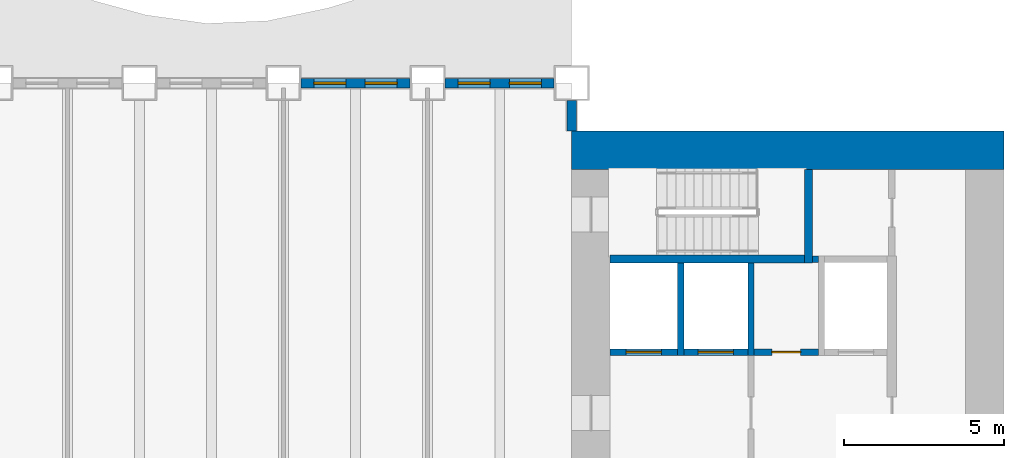
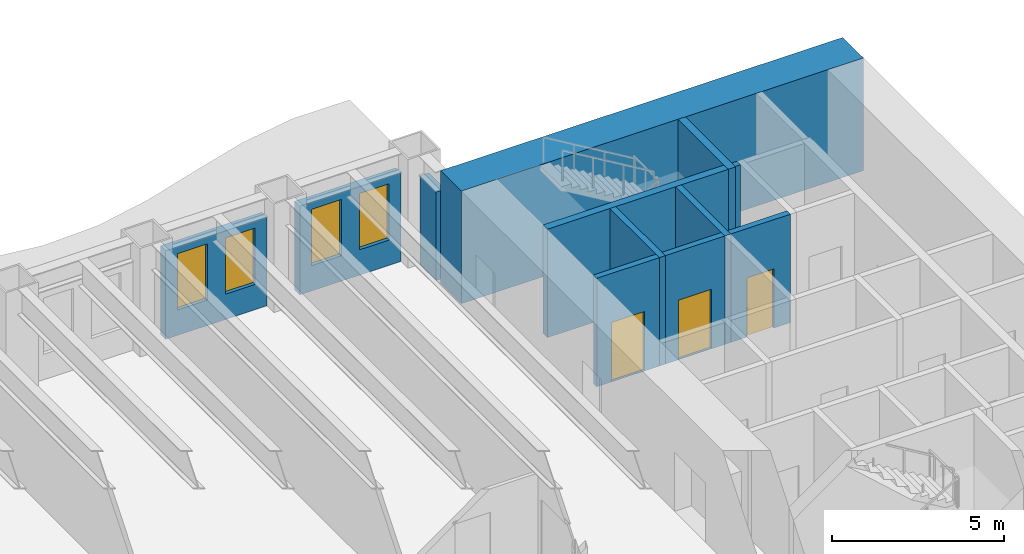
# One storey, part 7 of 17: 12 walls, 4 windows, 3 doors, 7 openings.
"""IFC4 building model written with IfcOpenShell, lengths in metres."""

import ifcopenshell
import ifcopenshell.guid

model = None  # the IFC model being written
_history = None  # IfcOwnerHistory: only IFC2X3 demands one
_inside = {}  # id of a spatial element -> (the spatial element, [elements in it])
_under = {}  # id of a project, library or spatial element -> (it, [spatial elements below it])
_declared = {}  # id of a project -> (the project, [libraries it declares])
_typed = {}  # id of a type object -> (the type object, [elements of that type])
_made_of = {}  # id of a material, layer set ... -> (it, [elements and type objects made of it])


def new_model(schema):
    """Start an empty IFC model of exactly this schema.

    Asked for "IFC4X3", IfcOpenShell would pick the latest addendum, in which some entities
    have other attributes; the version numbers below select the first issue.
    IFC2X3 requires an IfcOwnerHistory on every rooted entity: one is made here for all.
    """
    global model, _history
    if schema == "IFC4X3":
        model = ifcopenshell.file(schema_version=(4, 3, 0, 0))
    else:
        model = ifcopenshell.file(schema=schema)
    _inside.clear()
    _under.clear()
    _declared.clear()
    _typed.clear()
    _made_of.clear()
    _history = None
    if model.schema == "IFC2X3":
        org = make("IfcOrganization", Name="unknown")
        user = make(
            "IfcPersonAndOrganization",
            ThePerson=make("IfcPerson", FamilyName="unknown"),
            TheOrganization=org,
        )
        app = make(
            "IfcApplication",
            ApplicationDeveloper=org,
            Version="unknown",
            ApplicationFullName="unknown",
            ApplicationIdentifier="unknown",
        )
        _history = make(
            "IfcOwnerHistory",
            OwningUser=user,
            OwningApplication=app,
            ChangeAction="ADDED",
            CreationDate=0,
        )
    return model


def make(cls, **values):
    """One entity of the class cls with the attributes given. An attribute that is None is left unset."""
    return model.create_entity(
        cls, **{name: value for name, value in values.items() if value is not None}
    )


def rooted(cls, **values):
    """An entity with a GlobalId (a new one), such as an element, a storey or a relation."""
    return make(cls, GlobalId=ifcopenshell.guid.new(), OwnerHistory=_history, **values)


def si_unit(unit_type, name, prefix=None):
    """IfcSIUnit, for example si_unit("LENGTHUNIT", "METRE", prefix="MILLI")."""
    return make("IfcSIUnit", UnitType=unit_type, Prefix=prefix, Name=name)


def assignment(units):
    """IfcUnitAssignment: the units of a project."""
    return None if units is None else make("IfcUnitAssignment", Units=units)


def point(xyz):
    """IfcCartesianPoint."""
    return None if xyz is None else make("IfcCartesianPoint", Coordinates=xyz)


def direction(xyz):
    """IfcDirection."""
    return None if xyz is None else make("IfcDirection", DirectionRatios=xyz)


def frame(location, z_axis=None, x_axis=None):
    """IfcAxis2Placement3D, a coordinate frame: its origin and axes. An axis left out is left unset."""
    return make(
        "IfcAxis2Placement3D",
        Location=point(location),
        Axis=direction(z_axis),
        RefDirection=direction(x_axis),
    )


def frame_2d(location, x_axis=None):
    """IfcAxis2Placement2D, a coordinate frame in the plane: its origin and x axis."""
    return make(
        "IfcAxis2Placement2D", Location=point(location), RefDirection=direction(x_axis)
    )


def origin():
    """The frame at (0, 0, 0) with its axes left unset."""
    return frame((0.0, 0.0, 0.0))


def place(relative_to, where):
    """IfcLocalPlacement: puts the frame where relative to a parent placement (None: the world)."""
    return make(
        "IfcLocalPlacement", PlacementRelTo=relative_to, RelativePlacement=where
    )


def context(
    kind, dimensions, precision=None, world=None, true_north=None, identifier=None
):
    """IfcGeometricRepresentationContext, for example the 3D "Model" context."""
    return make(
        "IfcGeometricRepresentationContext",
        ContextIdentifier=identifier,
        ContextType=kind,
        CoordinateSpaceDimension=dimensions,
        Precision=precision,
        WorldCoordinateSystem=world,
        TrueNorth=true_north,
    )


def subcontext(parent, identifier, kind, view, scale=None):
    """IfcGeometricRepresentationSubContext, for example "Body" below "Model"."""
    return make(
        "IfcGeometricRepresentationSubContext",
        ContextIdentifier=identifier,
        ContextType=kind,
        ParentContext=parent,
        TargetScale=scale,
        TargetView=view,
    )


def project(units=None, contexts=None):
    """IfcProject with its units and contexts."""
    return rooted(
        "IfcProject",
        Name="project",
        RepresentationContexts=contexts,
        UnitsInContext=assignment(units),
    )


def spatial(cls, under=None, at=None, **own):
    """A site, building, storey or space (cls), placed at a placement, below another one or the project."""
    s = rooted(cls, ObjectPlacement=at, **own)
    if under is not None:
        _under.setdefault(under.id(), (under, []))[1].append(s)
    return s


def profile(cls, at=None, kind="AREA", **sizes):
    """A parametric profile (cls). Its sizes go by their IFC names, for example OverallWidth=200.0."""
    return make(cls, ProfileType=kind, Position=at, **sizes)


def rectangle(**sizes):
    """IfcRectangleProfileDef."""
    return profile("IfcRectangleProfileDef", **sizes)


def extrude(swept, where, along, depth):
    """IfcExtrudedAreaSolid: the profile swept, set in the frame where, extruded along a direction by depth."""
    return make(
        "IfcExtrudedAreaSolid",
        SweptArea=swept,
        Position=where,
        ExtrudedDirection=direction(along),
        Depth=depth,
    )


def shape(context_of_items, identifier, shape_type, items):
    """IfcShapeRepresentation: the items that make up one representation, for example the "Body"."""
    return make(
        "IfcShapeRepresentation",
        ContextOfItems=context_of_items,
        RepresentationIdentifier=identifier,
        RepresentationType=shape_type,
        Items=items,
    )


def material(Name=None, Category=None):
    """IfcMaterial."""
    return make("IfcMaterial", Name=Name, Category=Category)


def layer(
    of_material, thickness, ventilated=None, Name=None, Category=None, Priority=None
):
    """IfcMaterialLayer: one layer of a wall or slab, of a material (None: an air gap)."""
    return make(
        "IfcMaterialLayer",
        Material=of_material,
        LayerThickness=thickness,
        IsVentilated=ventilated,
        Name=Name,
        Category=Category,
        Priority=Priority,
    )


def layer_set(layers, Name=None):
    """IfcMaterialLayerSet."""
    return make("IfcMaterialLayerSet", MaterialLayers=layers, LayerSetName=Name)


def made_of(thing, what):
    """Note that an element or type object is made of a material, layer set ...; save() writes the relation."""
    if what is not None:
        _made_of.setdefault(what.id(), (what, []))[1].append(thing)
    return thing


def type_object(cls, material=None, **own):
    """A type object (cls), such as IfcWallType, which elements share."""
    return made_of(rooted(cls, **own), material)


def element(
    cls,
    number,
    at=None,
    inside=None,
    cuts=None,
    type_object=None,
    material=None,
    context=None,
    identifier="Body",
    shape_type=None,
    held_by="IfcProductDefinitionShape",
    body=None,
    shapes=None,
    **own,
):
    """One element of the class cls, such as IfcWall. Its Tag is "e" and its number.

    at: its placement. inside: the storey or other place that contains it. cuts: it is an
    opening in that element (IfcRelVoidsElement). A single representation is given by context,
    identifier, shape_type and body (its items); several are given by shapes. held_by: the class
    of the entity that holds the representations. save() writes the other relations.
    """
    e = rooted(cls, Tag="e%d" % number, ObjectPlacement=at, **own)
    if body is not None:
        shapes = [shape(context, identifier, shape_type, body)]
    if shapes is not None:
        e.Representation = make(held_by, Representations=shapes)
    if inside is not None:
        _inside.setdefault(inside.id(), (inside, []))[1].append(e)
    if cuts is not None:
        rooted(
            "IfcRelVoidsElement", RelatingBuildingElement=cuts, RelatedOpeningElement=e
        )
    if type_object is not None:
        _typed.setdefault(type_object.id(), (type_object, []))[1].append(e)
    return made_of(e, material)


def fill(opening, filler):
    """IfcRelFillsElement: the door or window that sits in an opening."""
    return rooted(
        "IfcRelFillsElement",
        RelatingOpeningElement=opening,
        RelatedBuildingElement=filler,
    )


def aggregate(whole, parts):
    """IfcRelAggregates: a whole, such as a stair, and the parts it consists of."""
    return rooted("IfcRelAggregates", RelatingObject=whole, RelatedObjects=parts)


def save(model, path):
    """Write the relations noted so far, then the file.

    IfcRelAggregates (storeys below a building ...), IfcRelContainedInSpatialStructure (elements
    in a storey), IfcRelDefinesByType, IfcRelAssociatesMaterial and IfcRelDeclares: one each for
    every whole, place, type object, material and project.
    """
    for whole, parts in _under.values():
        aggregate(whole, parts)
    for where, things in _inside.values():
        rooted(
            "IfcRelContainedInSpatialStructure",
            RelatedElements=things,
            RelatingStructure=where,
        )
    for kind, things in _typed.values():
        rooted("IfcRelDefinesByType", RelatedObjects=things, RelatingType=kind)
    for what, things in _made_of.values():
        rooted("IfcRelAssociatesMaterial", RelatedObjects=things, RelatingMaterial=what)
    for by, libraries in _declared.values():
        rooted("IfcRelDeclares", RelatingContext=by, RelatedDefinitions=libraries)
    model.write(path)


model = new_model("IFC4")

# Units and contexts
model_context = context("Model", 3, precision=1e-05, world=origin(), true_north=direction((0.0, 1.0)))
body_context = subcontext(model_context, "Body", "Model", "MODEL_VIEW")
ifc_project = project(units=[si_unit("LENGTHUNIT", "METRE"), si_unit("AREAUNIT", "SQUARE_METRE"), si_unit("VOLUMEUNIT", "CUBIC_METRE"), si_unit("PLANEANGLEUNIT", "RADIAN"), si_unit("MASSUNIT", "GRAM", prefix="KILO")], contexts=[model_context])

# Site, building, storey
site_placement = place(None, origin())
site = spatial("IfcSite", under=ifc_project, at=site_placement, CompositionType="ELEMENT")
building_placement = place(site_placement, origin())
building = spatial("IfcBuilding", under=site, at=building_placement, Name="Sennacour Bend Tower", CompositionType="ELEMENT")
storey_placement = place(building_placement, frame((0.0, 0.0, 53.0)))
storey = spatial("IfcBuildingStorey", under=building, at=storey_placement, Name="L11", CompositionType="ELEMENT", Elevation=53.0)

# Wall
ifc_material_1 = material(Name="Concrete C80/95", Category="concrete")
ifc_layer_1 = layer(ifc_material_1, 1.199951171875, Name="Concrete C80/95", Category="concrete")
ifc_layer_set_1 = layer_set([ifc_layer_1], Name="Concrete C80/95")
wall_type_1 = type_object("IfcWallType", Name="Core wall 1200 C80/95", PredefinedType="SHEAR", material=ifc_layer_set_1)
wall_1_placement = place(storey_placement, frame((54.0, 21.89990234375, -0.14990234375), z_axis=(0.0, 0.0, 1.0), x_axis=(1.0, 0.0, 0.0)))
element("IfcWall", 1, at=wall_1_placement, inside=storey, type_object=wall_type_1, Name="Core A wall L11 N", PredefinedType="SHEAR", context=body_context, shape_type="SweptSolid", body=[
    extrude(rectangle(XDim=13.5, YDim=1.199951171875, at=frame_2d((6.75, 0.0))), origin(), (0.0, 0.0, 1.0), 4.0),
])

# Wall, opening, door
ifc_material_2 = material(Name="Fire-rated plasterboard partition on steel studs", Category="steel")
ifc_layer_2 = layer(ifc_material_2, 0.199951171875, Name="Fire-rated plasterboard partition on steel studs", Category="steel")
ifc_layer_set_2 = layer_set([ifc_layer_2], Name="Fire-rated plasterboard partition on steel studs")
wall_type_2 = type_object("IfcWallType", Name="Rated partition 200", PredefinedType="PARTITIONING", material=ifc_layer_set_2)
wall_2_placement = place(storey_placement, frame((59.699951171875, 15.60009765625, 0.0), z_axis=(0.0, 0.0, 1.0), x_axis=(1.0, 0.0, 0.0)))
wall_2 = element("IfcWall", 2, at=wall_2_placement, inside=storey, type_object=wall_type_2, Name="P-L11-W067", PredefinedType="PARTITIONING", context=body_context, shape_type="SweptSolid", body=[
    extrude(rectangle(XDim=2.0, YDim=0.199951171875, at=frame_2d((1.0, 0.0))), origin(), (0.0, 0.0, 1.0), 3.85009765625),
])
opening_1_placement = place(wall_2_placement, frame((0.550048828125, 0.0, 0.0)))
opening_1 = element("IfcOpeningElement", 3, at=opening_1_placement, cuts=wall_2, Name="Opening SV", PredefinedType="OPENING", context=body_context, shape_type="SweptSolid", body=[
    extrude(rectangle(XDim=0.89990234375, YDim=2.10009765625, at=frame_2d((0.449951171875, 1.050048828125))), frame((0.0, 0.10986328125, 0.0), z_axis=(0.0, -1.0, 0.0), x_axis=(1.0, 0.0, 0.0)), (0.0, 0.0, 1.0), 0.219970703125),
])
ifc_material_3 = material(Name="Painted steel", Category="steel")
door_type_1 = type_object("IfcDoorType", Name="DR-SERVICE-900", OperationType="NOTDEFINED", PredefinedType="DOOR", material=ifc_material_3)
door_1_placement = place(opening_1_placement, origin())
door_1 = element("IfcDoor", 4, at=door_1_placement, inside=storey, type_object=door_type_1, Name="Door", OperationType="SINGLE_SWING_RIGHT", OverallHeight=2.10009765625, OverallWidth=0.89990234375, PredefinedType="DOOR", context=body_context, shape_type="SweptSolid", body=[
    extrude(rectangle(XDim=0.89990234375, YDim=2.10009765625, at=frame_2d((0.449951171875, 1.050048828125))), frame((0.0, 0.02490234375, 0.0), z_axis=(0.0, -1.0, 0.0), x_axis=(1.0, 0.0, 0.0)), (0.0, 0.0, 1.0), 0.050048828125),
])
fill(opening_1, door_1)

# Walls
wall_3_placement = place(storey_placement, frame((61.52490234375, 18.5, 0.0), z_axis=(0.0, 0.0, 1.0), x_axis=(1.0, 0.0, 0.0)))
element("IfcWall", 5, at=wall_3_placement, inside=storey, type_object=wall_type_2, Name="P-L11-W070", PredefinedType="PARTITIONING", context=body_context, shape_type="SweptSolid", body=[
    extrude(rectangle(XDim=0.175048828125, YDim=0.199951171875, at=frame_2d((0.08740234375, 0.0))), origin(), (0.0, 0.0, 1.0), 3.85009765625),
])
ifc_material_4 = material(Name="Warm limestone cladding", Category="masonry")
ifc_layer_3 = layer(ifc_material_4, 0.050048828125, Name="Warm limestone cladding", Category="masonry")
ifc_material_5 = material(Name="Precast concrete C40/50", Category="concrete")
ifc_layer_4 = layer(ifc_material_5, 0.25, Name="Precast concrete C40/50", Category="concrete")
ifc_layer_set_3 = layer_set([ifc_layer_3, ifc_layer_4], Name="Precast concrete C40/50 with limestone cladding")
wall_type_3 = type_object("IfcWallType", Name="STONE-CLAD PRECAST SPANDREL 300", PredefinedType="STANDARD", material=ifc_layer_set_3)
wall_4_placement = place(storey_placement, frame((54.0, 22.5, 0.0), z_axis=(0.0, 0.0, 1.0), x_axis=(0.0, 1.0, 0.0)))
element("IfcWall", 6, at=wall_4_placement, inside=storey, type_object=wall_type_3, Name="Stone spandrel and pier wall L11 07.00", PredefinedType="STANDARD", context=body_context, shape_type="SweptSolid", body=[
    extrude(rectangle(XDim=0.949951171875, YDim=0.300048828125, at=frame_2d((0.47509765625, 0.0))), origin(), (0.0, 0.0, 1.0), 3.14404296875),
])

# Wall, openings, windows
wall_5_placement = place(storey_placement, frame((53.449951171875, 24.0, 0.0), z_axis=(0.0, 0.0, 1.0), x_axis=(-1.0, 0.0, 0.0)))
wall_5 = element("IfcWall", 7, at=wall_5_placement, inside=storey, type_object=wall_type_3, Name="Stone spandrel and pier wall L11 08.00", PredefinedType="STANDARD", context=body_context, shape_type="SweptSolid", body=[
    extrude(rectangle(XDim=3.39990234375, YDim=0.300048828125, at=frame_2d((1.699951171875, 0.0))), origin(), (0.0, 0.0, 1.0), 3.14404296875),
])
opening_2_placement = place(wall_5_placement, frame((0.39990234375, 0.0, 0.89990234375)))
opening_2 = element("IfcOpeningElement", 8, at=opening_2_placement, cuts=wall_5, Name="Opening W8", PredefinedType="OPENING", context=body_context, shape_type="SweptSolid", body=[
    extrude(rectangle(XDim=1.0, YDim=2.0, at=frame_2d((0.5, 1.0))), frame((0.0, 0.16015625, 0.0), z_axis=(0.0, -1.0, 0.0), x_axis=(1.0, 0.0, 0.0)), (0.0, 0.0, 1.0), 0.320068359375),
])
opening_3_placement = place(wall_5_placement, frame((2.0, 0.0, 0.89990234375)))
opening_3 = element("IfcOpeningElement", 9, at=opening_3_placement, cuts=wall_5, Name="Opening W8", PredefinedType="OPENING", context=body_context, shape_type="SweptSolid", body=[
    extrude(rectangle(XDim=1.0, YDim=2.0, at=frame_2d((0.5, 1.0))), frame((0.0, 0.16015625, 0.0), z_axis=(0.0, -1.0, 0.0), x_axis=(1.0, 0.0, 0.0)), (0.0, 0.0, 1.0), 0.320068359375),
])
ifc_material_6 = material(Name="Clear low-emissivity glass", Category="glass")
window_type = type_object("IfcWindowType", Name="WIN-RIBBON-1000x2000", PartitioningType="SINGLE_PANEL", PredefinedType="WINDOW", material=ifc_material_6)
window_1_placement = place(opening_2_placement, origin())
window_1 = element("IfcWindow", 10, at=window_1_placement, inside=storey, type_object=window_type, Name="Ribbon window L11 08.00.0", OverallHeight=2.0, OverallWidth=1.0, PartitioningType="SINGLE_PANEL", PredefinedType="WINDOW", context=body_context, shape_type="SweptSolid", body=[
    extrude(rectangle(XDim=1.0, YDim=2.0, at=frame_2d((0.5, 1.0))), frame((0.0, 0.030029296875, 0.0), z_axis=(0.0, -1.0, 0.0), x_axis=(1.0, 0.0, 0.0)), (0.0, 0.0, 1.0), 0.06005859375),
])
fill(opening_2, window_1)
window_2_placement = place(opening_3_placement, origin())
window_2 = element("IfcWindow", 11, at=window_2_placement, inside=storey, type_object=window_type, Name="Ribbon window L11 08.00.1", OverallHeight=2.0, OverallWidth=1.0, PartitioningType="SINGLE_PANEL", PredefinedType="WINDOW", context=body_context, shape_type="SweptSolid", body=[
    extrude(rectangle(XDim=1.0, YDim=2.0, at=frame_2d((0.5, 1.0))), frame((0.0, 0.030029296875, 0.0), z_axis=(0.0, -1.0, 0.0), x_axis=(1.0, 0.0, 0.0)), (0.0, 0.0, 1.0), 0.06005859375),
])
fill(opening_3, window_2)

wall_6_placement = place(storey_placement, frame((48.949951171875, 24.0, 0.0), z_axis=(0.0, 0.0, 1.0), x_axis=(-1.0, 0.0, 0.0)))
wall_6 = element("IfcWall", 12, at=wall_6_placement, inside=storey, type_object=wall_type_3, Name="Stone spandrel and pier wall L11 08.01", PredefinedType="STANDARD", context=body_context, shape_type="SweptSolid", body=[
    extrude(rectangle(XDim=3.39990234375, YDim=0.300048828125, at=frame_2d((1.699951171875, 0.0))), origin(), (0.0, 0.0, 1.0), 3.14404296875),
])
opening_4_placement = place(wall_6_placement, frame((0.39990234375, 0.0, 0.89990234375)))
opening_4 = element("IfcOpeningElement", 13, at=opening_4_placement, cuts=wall_6, Name="Opening W8", PredefinedType="OPENING", context=body_context, shape_type="SweptSolid", body=[
    extrude(rectangle(XDim=1.0, YDim=2.0, at=frame_2d((0.5, 1.0))), frame((0.0, 0.16015625, 0.0), z_axis=(0.0, -1.0, 0.0), x_axis=(1.0, 0.0, 0.0)), (0.0, 0.0, 1.0), 0.320068359375),
])
opening_5_placement = place(wall_6_placement, frame((2.0, 0.0, 0.89990234375)))
opening_5 = element("IfcOpeningElement", 14, at=opening_5_placement, cuts=wall_6, Name="Opening W8", PredefinedType="OPENING", context=body_context, shape_type="SweptSolid", body=[
    extrude(rectangle(XDim=1.0, YDim=2.0, at=frame_2d((0.5, 1.0))), frame((0.0, 0.16015625, 0.0), z_axis=(0.0, -1.0, 0.0), x_axis=(1.0, 0.0, 0.0)), (0.0, 0.0, 1.0), 0.320068359375),
])
window_3_placement = place(opening_4_placement, origin())
window_3 = element("IfcWindow", 15, at=window_3_placement, inside=storey, type_object=window_type, Name="Ribbon window L11 08.01.0", OverallHeight=2.0, OverallWidth=1.0, PartitioningType="SINGLE_PANEL", PredefinedType="WINDOW", context=body_context, shape_type="SweptSolid", body=[
    extrude(rectangle(XDim=1.0, YDim=2.0, at=frame_2d((0.5, 1.0))), frame((0.0, 0.030029296875, 0.0), z_axis=(0.0, -1.0, 0.0), x_axis=(1.0, 0.0, 0.0)), (0.0, 0.0, 1.0), 0.06005859375),
])
fill(opening_4, window_3)
window_4_placement = place(opening_5_placement, origin())
window_4 = element("IfcWindow", 16, at=window_4_placement, inside=storey, type_object=window_type, Name="Ribbon window L11 08.01.1", OverallHeight=2.0, OverallWidth=1.0, PartitioningType="SINGLE_PANEL", PredefinedType="WINDOW", context=body_context, shape_type="SweptSolid", body=[
    extrude(rectangle(XDim=1.0, YDim=2.0, at=frame_2d((0.5, 1.0))), frame((0.0, 0.030029296875, 0.0), z_axis=(0.0, -1.0, 0.0), x_axis=(1.0, 0.0, 0.0)), (0.0, 0.0, 1.0), 0.06005859375),
])
fill(opening_5, window_4)

# Walls
ifc_material_7 = material(Name="Concrete C50/60", Category="concrete")
ifc_layer_5 = layer(ifc_material_7, 0.199951171875, Name="Concrete C50/60", Category="concrete")
ifc_layer_set_4 = layer_set([ifc_layer_5], Name="Concrete C50/60")
wall_type_4 = type_object("IfcWallType", Name="Shaft wall 200", PredefinedType="SOLIDWALL", material=ifc_layer_set_4)
for number, where, z_axis, x_axis, name in (
    (17, (57.39990234375, 15.5, 0.0), (0.0, 0.0, 1.0), (0.0, 1.0, 0.0), "P-L11-W038"),
    (18, (59.60009765625, 15.5, 0.0), (0.0, 0.0, 1.0), (0.0, 1.0, 0.0), "P-L11-W041"),
):
    element("IfcWall", number, at=place(storey_placement, frame(where, z_axis=z_axis, x_axis=x_axis)), inside=storey, type_object=wall_type_4, Name=name, PredefinedType="SOLIDWALL", context=body_context, shape_type="SweptSolid", body=[
        extrude(rectangle(XDim=2.875, YDim=0.199951171875, at=frame_2d((1.4375, 0.0))), origin(), (0.0, 0.0, 1.0), 3.85009765625),
    ])

# Wall, opening, door
wall_7_placement = place(storey_placement, frame((55.199951171875, 15.60009765625, 0.0), z_axis=(0.0, 0.0, 1.0), x_axis=(1.0, 0.0, 0.0)))
wall_7 = element("IfcWall", 19, at=wall_7_placement, inside=storey, type_object=wall_type_4, Name="P-L11-W066a", PredefinedType="SOLIDWALL", context=body_context, shape_type="SweptSolid", body=[
    extrude(rectangle(XDim=2.10009765625, YDim=0.199951171875, at=frame_2d((1.050048828125, 0.0))), origin(), (0.0, 0.0, 1.0), 3.85009765625),
])
opening_6_placement = place(wall_7_placement, frame((0.5, 0.0, 0.011962890625)))
opening_6 = element("IfcOpeningElement", 20, at=opening_6_placement, cuts=wall_7, Name="Opening FLD", PredefinedType="OPENING", context=body_context, shape_type="SweptSolid", body=[
    extrude(rectangle(XDim=1.10009765625, YDim=2.10009765625, at=frame_2d((0.550048828125, 1.050048828125))), frame((0.0, 0.10986328125, 0.0), z_axis=(0.0, -1.0, 0.0), x_axis=(1.0, 0.0, 0.0)), (0.0, 0.0, 1.0), 0.219970703125),
])
ifc_material_8 = material(Name="Stainless steel", Category="steel")
door_type_2 = type_object("IfcDoorType", Name="DR-FF-LANDING-1100", OperationType="NOTDEFINED", PredefinedType="DOOR", material=ifc_material_8)
door_2_placement = place(opening_6_placement, origin())
door_2 = element("IfcDoor", 21, at=door_2_placement, inside=storey, type_object=door_type_2, Name="Fire service lift landing door FA1", OperationType="SLIDING_TO_LEFT", OverallHeight=2.10009765625, OverallWidth=1.10009765625, PredefinedType="DOOR", context=body_context, shape_type="SweptSolid", body=[
    extrude(rectangle(XDim=1.10009765625, YDim=2.10009765625, at=frame_2d((0.550048828125, 1.050048828125))), frame((0.0, 0.02490234375, 0.0), z_axis=(0.0, -1.0, 0.0), x_axis=(1.0, 0.0, 0.0)), (0.0, 0.0, 1.0), 0.050048828125),
])
fill(opening_6, door_2)

wall_8_placement = place(storey_placement, frame((57.5, 15.60009765625, 0.0), z_axis=(0.0, 0.0, 1.0), x_axis=(1.0, 0.0, 0.0)))
wall_8 = element("IfcWall", 22, at=wall_8_placement, inside=storey, type_object=wall_type_4, Name="P-L11-W066b", PredefinedType="SOLIDWALL", context=body_context, shape_type="SweptSolid", body=[
    extrude(rectangle(XDim=2.0, YDim=0.199951171875, at=frame_2d((1.0, 0.0))), origin(), (0.0, 0.0, 1.0), 3.85009765625),
])
opening_7_placement = place(wall_8_placement, frame((0.449951171875, 0.0, 0.011962890625)))
opening_7 = element("IfcOpeningElement", 23, at=opening_7_placement, cuts=wall_8, Name="Opening FLD", PredefinedType="OPENING", context=body_context, shape_type="SweptSolid", body=[
    extrude(rectangle(XDim=1.10009765625, YDim=2.10009765625, at=frame_2d((0.550048828125, 1.050048828125))), frame((0.0, 0.10986328125, 0.0), z_axis=(0.0, -1.0, 0.0), x_axis=(1.0, 0.0, 0.0)), (0.0, 0.0, 1.0), 0.219970703125),
])
door_3_placement = place(opening_7_placement, origin())
door_3 = element("IfcDoor", 24, at=door_3_placement, inside=storey, type_object=door_type_2, Name="Fire service lift landing door FA2", OperationType="SLIDING_TO_RIGHT", OverallHeight=2.10009765625, OverallWidth=1.10009765625, PredefinedType="DOOR", context=body_context, shape_type="SweptSolid", body=[
    extrude(rectangle(XDim=1.10009765625, YDim=2.10009765625, at=frame_2d((0.550048828125, 1.050048828125))), frame((0.0, 0.02490234375, 0.0), z_axis=(0.0, -1.0, 0.0), x_axis=(1.0, 0.0, 0.0)), (0.0, 0.0, 1.0), 0.050048828125),
])
fill(opening_7, door_3)

# Walls
ifc_material_9 = material(Name="Concrete C60/75", Category="concrete")
ifc_layer_6 = layer(ifc_material_9, 0.25, Name="Concrete C60/75", Category="concrete")
ifc_layer_set_5 = layer_set([ifc_layer_6], Name="Concrete C60/75")
wall_type_5 = type_object("IfcWallType", Name="Stair wall 250", PredefinedType="SHEAR", material=ifc_layer_set_5)
wall_9_placement = place(storey_placement, frame((61.39990234375, 18.375, 0.0), z_axis=(0.0, 0.0, 1.0), x_axis=(0.0, 1.0, 0.0)))
element("IfcWall", 25, at=wall_9_placement, inside=storey, type_object=wall_type_5, Name="P-L11-W043", PredefinedType="SHEAR", context=body_context, shape_type="SweptSolid", body=[
    extrude(rectangle(XDim=2.925048828125, YDim=0.25, at=frame_2d((1.46240234375, 0.0))), origin(), (0.0, 0.0, 1.0), 3.85009765625),
])
wall_10_placement = place(storey_placement, frame((55.199951171875, 18.5, 0.0), z_axis=(0.0, 0.0, 1.0), x_axis=(1.0, 0.0, 0.0)))
element("IfcWall", 26, at=wall_10_placement, inside=storey, type_object=wall_type_5, Name="P-L11-W069", PredefinedType="SHEAR", context=body_context, shape_type="SweptSolid", body=[
    extrude(rectangle(XDim=6.074951171875, YDim=0.25, at=frame_2d((3.03759765625, 0.0))), origin(), (0.0, 0.0, 1.0), 3.85009765625),
])

save(model, "model.ifc")
